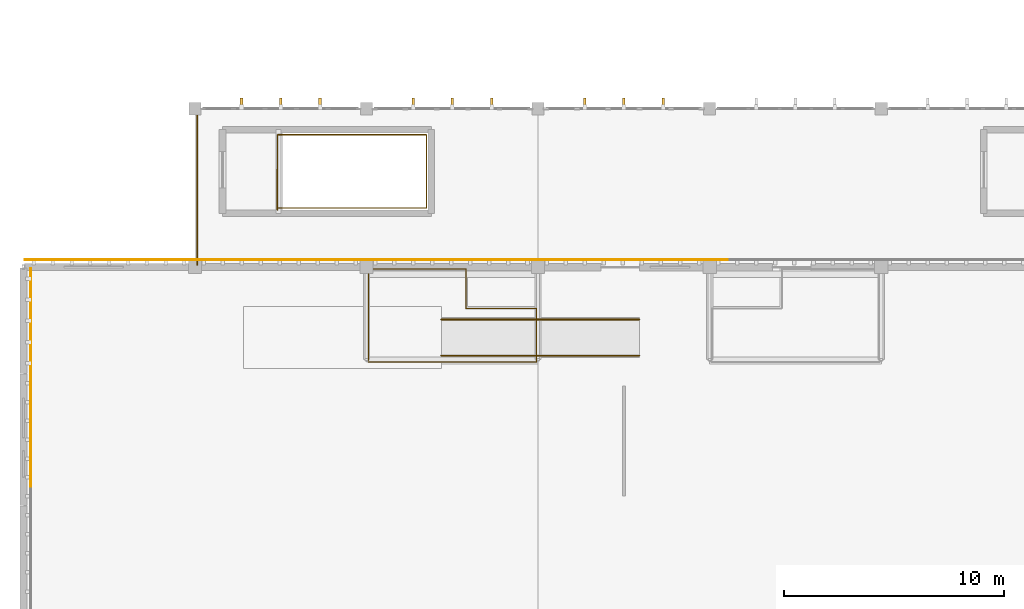
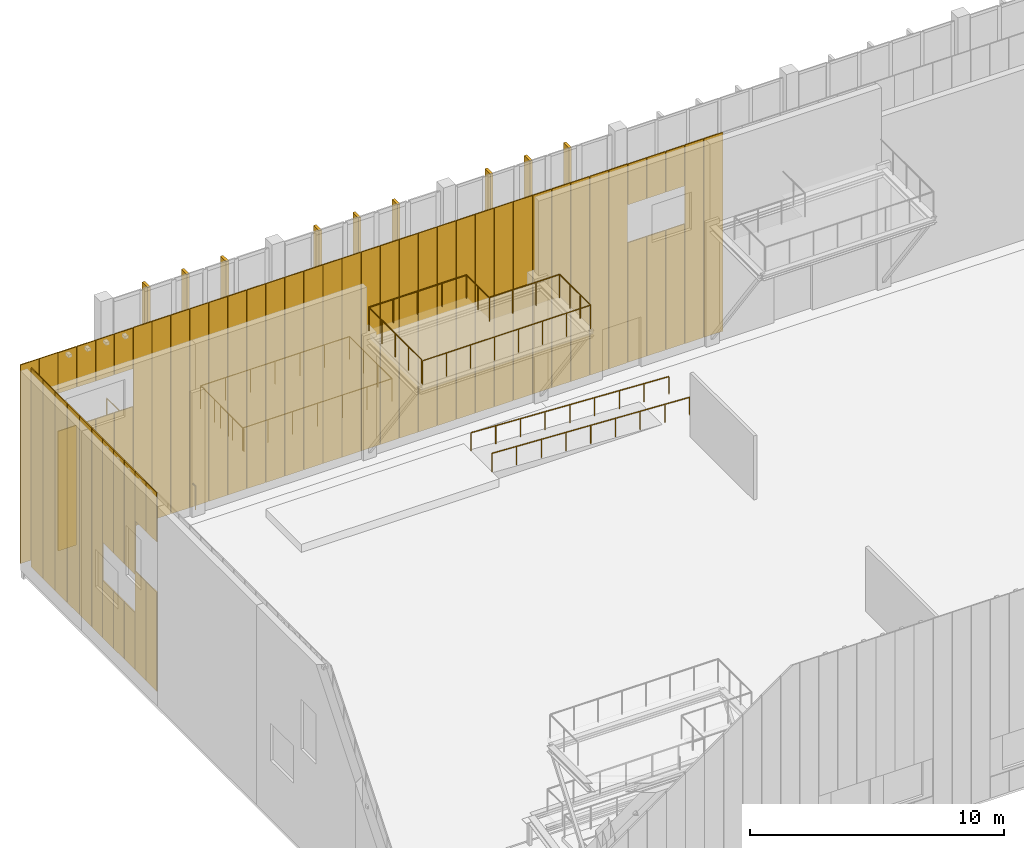
# One storey, part 99 of 105: 69 coverings, 6 railings.
"""IFC4 building model written with IfcOpenShell, lengths in metres."""

from ifc_helpers import new_model, si_unit, direction, frame, origin, origin_2d, place, context, subcontext, project, spatial, rectangle, circle, extrude, material, layer, layer_set, type_object, element, save


model = new_model("IFC4")

# Units and contexts
model_context = context("Model", 3, precision=1e-05, world=origin(), true_north=direction((0.0, 1.0)))
body_context = subcontext(model_context, "Body", "Model", "MODEL_VIEW")
ifc_project = project(units=[si_unit("LENGTHUNIT", "METRE"), si_unit("AREAUNIT", "SQUARE_METRE"), si_unit("VOLUMEUNIT", "CUBIC_METRE"), si_unit("PLANEANGLEUNIT", "RADIAN"), si_unit("MASSUNIT", "GRAM", prefix="KILO")], contexts=[model_context])

# Site, building, storey
site_placement = place(None, origin())
site = spatial("IfcSite", under=ifc_project, at=site_placement, CompositionType="ELEMENT")
building_placement = place(site_placement, origin())
building = spatial("IfcBuilding", under=site, at=building_placement, Name="Tizgana Railside Sports Hall", CompositionType="ELEMENT")
storey_placement = place(building_placement, frame((0.0, 0.0, 6.0)))
storey = spatial("IfcBuildingStorey", under=building, at=storey_placement, Name="L01", CompositionType="ELEMENT", Elevation=6.0)

# Coverings
ifc_material_1 = material(Name="Glulam GL28h", Category="wood")
ifc_layer_1 = layer(ifc_material_1, 0.139892578125, Name="Glulam GL28h")
ifc_layer_set_1 = layer_set([ifc_layer_1], Name="Glulam GL28h")
covering_type_1 = type_object("IfcCoveringType", Name="Mass-Timber Brise-Soleil & Pergola Fin", PredefinedType="CLADDING", material=ifc_layer_set_1)
for number, where, z_axis, x_axis, name in (
    (1, (9.9150390625, 80.679931640625, 0.0400390625), (0.0, 0.0, 1.0), (1.0, 0.0, 0.0), "L01 Timber Brise-Soleil Fin"),
    (2, (11.699951171875, 80.679931640625, 0.0400390625), (0.0, 0.0, 1.0), (1.0, 0.0, 0.0), "L01 Timber Brise-Soleil Fin"),
    (3, (13.485107421875, 80.679931640625, 0.0400390625), (0.0, 0.0, 1.0), (1.0, 0.0, 0.0), "L01 Timber Brise-Soleil Fin"),
    (4, (17.715087890625, 80.679931640625, 0.0400390625), (0.0, 0.0, 1.0), (1.0, 0.0, 0.0), "L01 Timber Brise-Soleil Fin"),
    (5, (19.5, 80.679931640625, 0.0400390625), (0.0, 0.0, 1.0), (1.0, 0.0, 0.0), "L01 Timber Brise-Soleil Fin"),
    (6, (21.284912109375, 80.679931640625, 0.0400390625), (0.0, 0.0, 1.0), (1.0, 0.0, 0.0), "L01 Timber Brise-Soleil Fin"),
    (7, (25.514892578125, 80.679931640625, 0.0400390625), (0.0, 0.0, 1.0), (1.0, 0.0, 0.0), "L01 Timber Brise-Soleil Fin"),
    (8, (27.300048828125, 80.679931640625, 0.0400390625), (0.0, 0.0, 1.0), (1.0, 0.0, 0.0), "L01 Timber Brise-Soleil Fin"),
    (9, (29.0849609375, 80.679931640625, 0.0400390625), (0.0, 0.0, 1.0), (1.0, 0.0, 0.0), "L01 Timber Brise-Soleil Fin"),
):
    element("IfcCovering", number, at=place(storey_placement, frame(where, z_axis=z_axis, x_axis=x_axis)), inside=storey, type_object=covering_type_1, Name=name, PredefinedType="CLADDING", context=body_context, shape_type="SweptSolid", body=[
        extrude(rectangle(XDim=0.1201171875, YDim=0.43994140625, at=origin_2d()), origin(), (0.0, 0.0, 1.0), 5.6201171875),
    ])
ifc_material_2 = material(Name="Anodised perforated aluminium screen", Category="aluminium")
ifc_layer_2 = layer(ifc_material_2, 0.044921875, Name="Anodised perforated aluminium screen")
ifc_layer_set_2 = layer_set([ifc_layer_2], Name="Anodised perforated aluminium screen")
covering_type_2 = type_object("IfcCoveringType", Name="Perforated Aluminium Hall Screen 900", PredefinedType="CLADDING", material=ifc_layer_set_2)
for number, where, z_axis, x_axis, name in (
    (10, (0.477783203125, 73.534912109375, 0.02001953125), (0.0, 0.0, 1.0), (1.0, 0.0, 0.0), "L01 Perforated Screen SCR-0010"),
    (11, (1.333251953125, 73.534912109375, 0.02001953125), (0.0, 0.0, 1.0), (1.0, 0.0, 0.0), "L01 Perforated Screen SCR-0011"),
):
    element("IfcCovering", number, at=place(storey_placement, frame(where, z_axis=z_axis, x_axis=x_axis)), inside=storey, type_object=covering_type_2, Name=name, PredefinedType="CLADDING", context=body_context, shape_type="SweptSolid", body=[
        extrude(rectangle(XDim=0.837646484375, YDim=0.044921875, at=origin_2d()), origin(), (0.0, 0.0, 1.0), 9.56005859375),
    ])
covering_1_placement = place(storey_placement, frame((2.18896484375, 73.534912109375, 0.02978515625), z_axis=(0.0, 0.0, 1.0), x_axis=(1.0, 0.0, 0.0)))
element("IfcCovering", 12, at=covering_1_placement, inside=storey, type_object=covering_type_2, Name="L01 Perforated Spandrel SCR-0012", PredefinedType="CLADDING", context=body_context, shape_type="SweptSolid", body=[
    extrude(rectangle(XDim=0.837646484375, YDim=0.044921875, at=origin_2d()), origin(), (0.0, 0.0, 1.0), 5.760009765625),
])
covering_2_placement = place(storey_placement, frame((2.18896484375, 73.534912109375, 7.610107421875), z_axis=(0.0, 0.0, 1.0), x_axis=(1.0, 0.0, 0.0)))
element("IfcCovering", 13, at=covering_2_placement, inside=storey, type_object=covering_type_2, Name="L01 Perforated Header SCR-0013", PredefinedType="CLADDING", context=body_context, shape_type="SweptSolid", body=[
    extrude(rectangle(XDim=0.837646484375, YDim=0.044921875, at=origin_2d()), origin(), (0.0, 0.0, 1.0), 1.9599609375),
])
covering_3_placement = place(storey_placement, frame((3.04443359375, 73.534912109375, 0.02978515625), z_axis=(0.0, 0.0, 1.0), x_axis=(1.0, 0.0, 0.0)))
element("IfcCovering", 14, at=covering_3_placement, inside=storey, type_object=covering_type_2, Name="L01 Perforated Spandrel SCR-0014", PredefinedType="CLADDING", context=body_context, shape_type="SweptSolid", body=[
    extrude(rectangle(XDim=0.837646484375, YDim=0.044921875, at=origin_2d()), origin(), (0.0, 0.0, 1.0), 5.760009765625),
])
covering_4_placement = place(storey_placement, frame((3.04443359375, 73.534912109375, 7.610107421875), z_axis=(0.0, 0.0, 1.0), x_axis=(1.0, 0.0, 0.0)))
element("IfcCovering", 15, at=covering_4_placement, inside=storey, type_object=covering_type_2, Name="L01 Perforated Header SCR-0015", PredefinedType="CLADDING", context=body_context, shape_type="SweptSolid", body=[
    extrude(rectangle(XDim=0.837646484375, YDim=0.044921875, at=origin_2d()), origin(), (0.0, 0.0, 1.0), 1.9599609375),
])
covering_5_placement = place(storey_placement, frame((3.89990234375, 73.534912109375, 0.02978515625), z_axis=(0.0, 0.0, 1.0), x_axis=(1.0, 0.0, 0.0)))
element("IfcCovering", 16, at=covering_5_placement, inside=storey, type_object=covering_type_2, Name="L01 Perforated Spandrel SCR-0016", PredefinedType="CLADDING", context=body_context, shape_type="SweptSolid", body=[
    extrude(rectangle(XDim=0.837646484375, YDim=0.044921875, at=origin_2d()), origin(), (0.0, 0.0, 1.0), 5.760009765625),
])
covering_6_placement = place(storey_placement, frame((3.89990234375, 73.534912109375, 7.610107421875), z_axis=(0.0, 0.0, 1.0), x_axis=(1.0, 0.0, 0.0)))
element("IfcCovering", 17, at=covering_6_placement, inside=storey, type_object=covering_type_2, Name="L01 Perforated Header SCR-0017", PredefinedType="CLADDING", context=body_context, shape_type="SweptSolid", body=[
    extrude(rectangle(XDim=0.837646484375, YDim=0.044921875, at=origin_2d()), origin(), (0.0, 0.0, 1.0), 1.9599609375),
])
covering_7_placement = place(storey_placement, frame((4.755615234375, 73.534912109375, 0.02978515625), z_axis=(0.0, 0.0, 1.0), x_axis=(1.0, 0.0, 0.0)))
element("IfcCovering", 18, at=covering_7_placement, inside=storey, type_object=covering_type_2, Name="L01 Perforated Spandrel SCR-0018", PredefinedType="CLADDING", context=body_context, shape_type="SweptSolid", body=[
    extrude(rectangle(XDim=0.837646484375, YDim=0.044921875, at=origin_2d()), origin(), (0.0, 0.0, 1.0), 5.760009765625),
])
covering_8_placement = place(storey_placement, frame((4.755615234375, 73.534912109375, 7.610107421875), z_axis=(0.0, 0.0, 1.0), x_axis=(1.0, 0.0, 0.0)))
element("IfcCovering", 19, at=covering_8_placement, inside=storey, type_object=covering_type_2, Name="L01 Perforated Header SCR-0019", PredefinedType="CLADDING", context=body_context, shape_type="SweptSolid", body=[
    extrude(rectangle(XDim=0.837646484375, YDim=0.044921875, at=origin_2d()), origin(), (0.0, 0.0, 1.0), 1.9599609375),
])
for number, where, z_axis, x_axis, name in (
    (20, (5.611083984375, 73.534912109375, 0.02001953125), (0.0, 0.0, 1.0), (1.0, 0.0, 0.0), "L01 Perforated Screen SCR-0020"),
    (21, (6.466796875, 73.534912109375, 0.02001953125), (0.0, 0.0, 1.0), (1.0, 0.0, 0.0), "L01 Perforated Screen SCR-0021"),
    (22, (7.322265625, 73.534912109375, 0.02001953125), (0.0, 0.0, 1.0), (1.0, 0.0, 0.0), "L01 Perforated Screen SCR-0022"),
):
    element("IfcCovering", number, at=place(storey_placement, frame(where, z_axis=z_axis, x_axis=x_axis)), inside=storey, type_object=covering_type_2, Name=name, PredefinedType="CLADDING", context=body_context, shape_type="SweptSolid", body=[
        extrude(rectangle(XDim=0.837646484375, YDim=0.044921875, at=origin_2d()), origin(), (0.0, 0.0, 1.0), 9.56005859375),
    ])
for number, where, z_axis, x_axis, name in (
    (23, (8.18798828125, 73.534912109375, 0.02001953125), (0.0, 0.0, 1.0), (1.0, 0.0, 0.0), "L01 Perforated Screen SCR-0032"),
    (24, (9.05419921875, 73.534912109375, 0.02001953125), (0.0, 0.0, 1.0), (1.0, 0.0, 0.0), "L01 Perforated Screen SCR-0033"),
    (25, (9.92041015625, 73.534912109375, 0.02001953125), (0.0, 0.0, 1.0), (1.0, 0.0, 0.0), "L01 Perforated Screen SCR-0034"),
    (26, (10.786376953125, 73.534912109375, 0.02001953125), (0.0, 0.0, 1.0), (1.0, 0.0, 0.0), "L01 Perforated Screen SCR-0035"),
    (27, (11.652587890625, 73.534912109375, 0.02001953125), (0.0, 0.0, 1.0), (1.0, 0.0, 0.0), "L01 Perforated Screen SCR-0036"),
    (28, (12.5185546875, 73.534912109375, 0.02001953125), (0.0, 0.0, 1.0), (1.0, 0.0, 0.0), "L01 Perforated Screen SCR-0037"),
    (29, (13.384765625, 73.534912109375, 0.02001953125), (0.0, 0.0, 1.0), (1.0, 0.0, 0.0), "L01 Perforated Screen SCR-0038"),
    (30, (14.250732421875, 73.534912109375, 0.02001953125), (0.0, 0.0, 1.0), (1.0, 0.0, 0.0), "L01 Perforated Screen SCR-0039"),
    (31, (15.116943359375, 73.534912109375, 0.02001953125), (0.0, 0.0, 1.0), (1.0, 0.0, 0.0), "L01 Perforated Screen SCR-0040"),
    (32, (15.988037109375, 73.534912109375, 0.02001953125), (0.0, 0.0, 1.0), (1.0, 0.0, 0.0), "L01 Perforated Screen SCR-0056"),
    (33, (16.854248046875, 73.534912109375, 0.02001953125), (0.0, 0.0, 1.0), (1.0, 0.0, 0.0), "L01 Perforated Screen SCR-0057"),
    (34, (17.72021484375, 73.534912109375, 0.02001953125), (0.0, 0.0, 1.0), (1.0, 0.0, 0.0), "L01 Perforated Screen SCR-0058"),
    (35, (18.58642578125, 73.534912109375, 0.02001953125), (0.0, 0.0, 1.0), (1.0, 0.0, 0.0), "L01 Perforated Screen SCR-0059"),
    (36, (19.452392578125, 73.534912109375, 0.02001953125), (0.0, 0.0, 1.0), (1.0, 0.0, 0.0), "L01 Perforated Screen SCR-0060"),
    (37, (20.318603515625, 73.534912109375, 0.02001953125), (0.0, 0.0, 1.0), (1.0, 0.0, 0.0), "L01 Perforated Screen SCR-0061"),
    (38, (21.184814453125, 73.534912109375, 0.02001953125), (0.0, 0.0, 1.0), (1.0, 0.0, 0.0), "L01 Perforated Screen SCR-0062"),
    (39, (22.05078125, 73.534912109375, 0.02001953125), (0.0, 0.0, 1.0), (1.0, 0.0, 0.0), "L01 Perforated Screen SCR-0063"),
    (40, (22.9169921875, 73.534912109375, 0.02001953125), (0.0, 0.0, 1.0), (1.0, 0.0, 0.0), "L01 Perforated Screen SCR-0064"),
    (41, (23.7880859375, 73.534912109375, 0.02001953125), (0.0, 0.0, 1.0), (1.0, 0.0, 0.0), "L01 Perforated Screen SCR-0080"),
    (42, (24.654296875, 73.534912109375, 0.02001953125), (0.0, 0.0, 1.0), (1.0, 0.0, 0.0), "L01 Perforated Screen SCR-0081"),
    (43, (25.520263671875, 73.534912109375, 0.02001953125), (0.0, 0.0, 1.0), (1.0, 0.0, 0.0), "L01 Perforated Screen SCR-0082"),
    (44, (26.386474609375, 73.534912109375, 0.02001953125), (0.0, 0.0, 1.0), (1.0, 0.0, 0.0), "L01 Perforated Screen SCR-0083"),
    (45, (27.25244140625, 73.534912109375, 0.02001953125), (0.0, 0.0, 1.0), (1.0, 0.0, 0.0), "L01 Perforated Screen SCR-0084"),
):
    element("IfcCovering", number, at=place(storey_placement, frame(where, z_axis=z_axis, x_axis=x_axis)), inside=storey, type_object=covering_type_2, Name=name, PredefinedType="CLADDING", context=body_context, shape_type="SweptSolid", body=[
        extrude(rectangle(XDim=0.84814453125, YDim=0.044921875, at=origin_2d()), origin(), (0.0, 0.0, 1.0), 9.56005859375),
    ])
covering_9_placement = place(storey_placement, frame((28.11865234375, 73.534912109375, 0.02978515625), z_axis=(0.0, 0.0, 1.0), x_axis=(1.0, 0.0, 0.0)))
element("IfcCovering", 46, at=covering_9_placement, inside=storey, type_object=covering_type_2, Name="L01 Perforated Spandrel SCR-0085", PredefinedType="CLADDING", context=body_context, shape_type="SweptSolid", body=[
    extrude(rectangle(XDim=0.84814453125, YDim=0.044921875, at=origin_2d()), origin(), (0.0, 0.0, 1.0), 5.760009765625),
])
covering_10_placement = place(storey_placement, frame((28.11865234375, 73.534912109375, 7.610107421875), z_axis=(0.0, 0.0, 1.0), x_axis=(1.0, 0.0, 0.0)))
element("IfcCovering", 47, at=covering_10_placement, inside=storey, type_object=covering_type_2, Name="L01 Perforated Header SCR-0086", PredefinedType="CLADDING", context=body_context, shape_type="SweptSolid", body=[
    extrude(rectangle(XDim=0.84814453125, YDim=0.044921875, at=origin_2d()), origin(), (0.0, 0.0, 1.0), 1.9599609375),
])
covering_11_placement = place(storey_placement, frame((28.984619140625, 73.534912109375, 0.02978515625), z_axis=(0.0, 0.0, 1.0), x_axis=(1.0, 0.0, 0.0)))
element("IfcCovering", 48, at=covering_11_placement, inside=storey, type_object=covering_type_2, Name="L01 Perforated Spandrel SCR-0087", PredefinedType="CLADDING", context=body_context, shape_type="SweptSolid", body=[
    extrude(rectangle(XDim=0.84814453125, YDim=0.044921875, at=origin_2d()), origin(), (0.0, 0.0, 1.0), 5.760009765625),
])
covering_12_placement = place(storey_placement, frame((28.984619140625, 73.534912109375, 7.610107421875), z_axis=(0.0, 0.0, 1.0), x_axis=(1.0, 0.0, 0.0)))
element("IfcCovering", 49, at=covering_12_placement, inside=storey, type_object=covering_type_2, Name="L01 Perforated Header SCR-0088", PredefinedType="CLADDING", context=body_context, shape_type="SweptSolid", body=[
    extrude(rectangle(XDim=0.84814453125, YDim=0.044921875, at=origin_2d()), origin(), (0.0, 0.0, 1.0), 1.9599609375),
])
covering_13_placement = place(storey_placement, frame((29.850830078125, 73.534912109375, 0.02978515625), z_axis=(0.0, 0.0, 1.0), x_axis=(1.0, 0.0, 0.0)))
element("IfcCovering", 50, at=covering_13_placement, inside=storey, type_object=covering_type_2, Name="L01 Perforated Spandrel SCR-0089", PredefinedType="CLADDING", context=body_context, shape_type="SweptSolid", body=[
    extrude(rectangle(XDim=0.84814453125, YDim=0.044921875, at=origin_2d()), origin(), (0.0, 0.0, 1.0), 5.760009765625),
])
covering_14_placement = place(storey_placement, frame((29.850830078125, 73.534912109375, 7.610107421875), z_axis=(0.0, 0.0, 1.0), x_axis=(1.0, 0.0, 0.0)))
element("IfcCovering", 51, at=covering_14_placement, inside=storey, type_object=covering_type_2, Name="L01 Perforated Header SCR-0090", PredefinedType="CLADDING", context=body_context, shape_type="SweptSolid", body=[
    extrude(rectangle(XDim=0.84814453125, YDim=0.044921875, at=origin_2d()), origin(), (0.0, 0.0, 1.0), 1.9599609375),
])
for number, where, z_axis, x_axis, name in (
    (52, (30.716796875, 73.534912109375, 0.02001953125), (0.0, 0.0, 1.0), (1.0, 0.0, 0.0), "L01 Perforated Screen SCR-0091"),
    (53, (31.588134765625, 73.534912109375, 0.02001953125), (0.0, 0.0, 1.0), (1.0, 0.0, 0.0), "L01 Perforated Screen SCR-0101"),
):
    element("IfcCovering", number, at=place(storey_placement, frame(where, z_axis=z_axis, x_axis=x_axis)), inside=storey, type_object=covering_type_2, Name=name, PredefinedType="CLADDING", context=body_context, shape_type="SweptSolid", body=[
        extrude(rectangle(XDim=0.84814453125, YDim=0.044921875, at=origin_2d()), origin(), (0.0, 0.0, 1.0), 9.56005859375),
    ])
covering_15_placement = place(storey_placement, frame((0.3349609375, 67.921875, 0.02001953125), z_axis=(0.0, 0.0, 1.0), x_axis=(0.0, -1.0, 0.0)))
element("IfcCovering", 54, at=covering_15_placement, inside=storey, type_object=covering_type_2, Name="L01 Perforated Screen SCR-0185", PredefinedType="CLADDING", context=body_context, shape_type="SweptSolid", body=[
    extrude(rectangle(XDim=0.83837890625, YDim=0.044921875, at=origin_2d()), origin(), (0.0, 0.0, 1.0), 9.56005859375),
])
covering_16_placement = place(storey_placement, frame((0.3349609375, 67.0654296875, 0.02978515625), z_axis=(0.0, 0.0, 1.0), x_axis=(0.0, -1.0, 0.0)))
element("IfcCovering", 55, at=covering_16_placement, inside=storey, type_object=covering_type_2, Name="L01 Perforated Spandrel SCR-0186", PredefinedType="CLADDING", context=body_context, shape_type="SweptSolid", body=[
    extrude(rectangle(XDim=0.83837890625, YDim=0.044921875, at=origin_2d()), origin(), (0.0, 0.0, 1.0), 2.760009765625),
])
covering_17_placement = place(storey_placement, frame((0.3349609375, 67.0654296875, 4.610107421875), z_axis=(0.0, 0.0, 1.0), x_axis=(0.0, -1.0, 0.0)))
element("IfcCovering", 56, at=covering_17_placement, inside=storey, type_object=covering_type_2, Name="L01 Perforated Header SCR-0187", PredefinedType="CLADDING", context=body_context, shape_type="SweptSolid", body=[
    extrude(rectangle(XDim=0.83837890625, YDim=0.044921875, at=origin_2d()), origin(), (0.0, 0.0, 1.0), 4.9599609375),
])
covering_18_placement = place(storey_placement, frame((0.3349609375, 66.208984375, 0.02978515625), z_axis=(0.0, 0.0, 1.0), x_axis=(0.0, -1.0, 0.0)))
element("IfcCovering", 57, at=covering_18_placement, inside=storey, type_object=covering_type_2, Name="L01 Perforated Spandrel SCR-0188", PredefinedType="CLADDING", context=body_context, shape_type="SweptSolid", body=[
    extrude(rectangle(XDim=0.83837890625, YDim=0.044921875, at=origin_2d()), origin(), (0.0, 0.0, 1.0), 2.760009765625),
])
covering_19_placement = place(storey_placement, frame((0.3349609375, 66.208984375, 4.610107421875), z_axis=(0.0, 0.0, 1.0), x_axis=(0.0, -1.0, 0.0)))
element("IfcCovering", 58, at=covering_19_placement, inside=storey, type_object=covering_type_2, Name="L01 Perforated Header SCR-0189", PredefinedType="CLADDING", context=body_context, shape_type="SweptSolid", body=[
    extrude(rectangle(XDim=0.83837890625, YDim=0.044921875, at=origin_2d()), origin(), (0.0, 0.0, 1.0), 4.9599609375),
])
covering_20_placement = place(storey_placement, frame((0.3349609375, 65.3525390625, 0.02978515625), z_axis=(0.0, 0.0, 1.0), x_axis=(0.0, -1.0, 0.0)))
element("IfcCovering", 59, at=covering_20_placement, inside=storey, type_object=covering_type_2, Name="L01 Perforated Spandrel SCR-0190", PredefinedType="CLADDING", context=body_context, shape_type="SweptSolid", body=[
    extrude(rectangle(XDim=0.83837890625, YDim=0.044921875, at=origin_2d()), origin(), (0.0, 0.0, 1.0), 2.760009765625),
])
covering_21_placement = place(storey_placement, frame((0.3349609375, 65.3525390625, 4.610107421875), z_axis=(0.0, 0.0, 1.0), x_axis=(0.0, -1.0, 0.0)))
element("IfcCovering", 60, at=covering_21_placement, inside=storey, type_object=covering_type_2, Name="L01 Perforated Header SCR-0191", PredefinedType="CLADDING", context=body_context, shape_type="SweptSolid", body=[
    extrude(rectangle(XDim=0.83837890625, YDim=0.044921875, at=origin_2d()), origin(), (0.0, 0.0, 1.0), 4.9599609375),
])
covering_22_placement = place(storey_placement, frame((0.3349609375, 64.49609375, 0.02978515625), z_axis=(0.0, 0.0, 1.0), x_axis=(0.0, -1.0, 0.0)))
element("IfcCovering", 61, at=covering_22_placement, inside=storey, type_object=covering_type_2, Name="L01 Perforated Spandrel SCR-0192", PredefinedType="CLADDING", context=body_context, shape_type="SweptSolid", body=[
    extrude(rectangle(XDim=0.83837890625, YDim=0.044921875, at=origin_2d()), origin(), (0.0, 0.0, 1.0), 4.760009765625),
])
covering_23_placement = place(storey_placement, frame((0.3349609375, 64.49609375, 7.2099609375), z_axis=(0.0, 0.0, 1.0), x_axis=(0.0, -1.0, 0.0)))
element("IfcCovering", 62, at=covering_23_placement, inside=storey, type_object=covering_type_2, Name="L01 Perforated Header SCR-0193", PredefinedType="CLADDING", context=body_context, shape_type="SweptSolid", body=[
    extrude(rectangle(XDim=0.83837890625, YDim=0.044921875, at=origin_2d()), origin(), (0.0, 0.0, 1.0), 2.360107421875),
])
covering_24_placement = place(storey_placement, frame((0.3349609375, 63.6396484375, 0.02978515625), z_axis=(0.0, 0.0, 1.0), x_axis=(0.0, -1.0, 0.0)))
element("IfcCovering", 63, at=covering_24_placement, inside=storey, type_object=covering_type_2, Name="L01 Perforated Spandrel SCR-0194", PredefinedType="CLADDING", context=body_context, shape_type="SweptSolid", body=[
    extrude(rectangle(XDim=0.83837890625, YDim=0.044921875, at=origin_2d()), origin(), (0.0, 0.0, 1.0), 4.760009765625),
])
covering_25_placement = place(storey_placement, frame((0.3349609375, 63.6396484375, 7.2099609375), z_axis=(0.0, 0.0, 1.0), x_axis=(0.0, -1.0, 0.0)))
element("IfcCovering", 64, at=covering_25_placement, inside=storey, type_object=covering_type_2, Name="L01 Perforated Header SCR-0195", PredefinedType="CLADDING", context=body_context, shape_type="SweptSolid", body=[
    extrude(rectangle(XDim=0.83837890625, YDim=0.044921875, at=origin_2d()), origin(), (0.0, 0.0, 1.0), 2.360107421875),
])
for number, where, z_axis, x_axis, name in (
    (65, (0.3349609375, 72.67041015625, 0.02001953125), (0.0, 0.0, 1.0), (0.0, -1.0, 0.0), "L01 Perforated Screen SCR-0197"),
    (66, (0.3349609375, 71.71142578125, 0.02001953125), (0.0, 0.0, 1.0), (0.0, -1.0, 0.0), "L01 Perforated Screen SCR-0198"),
    (67, (0.3349609375, 70.75244140625, 0.02001953125), (0.0, 0.0, 1.0), (0.0, -1.0, 0.0), "L01 Perforated Screen SCR-0199"),
    (68, (0.3349609375, 69.79345703125, 0.02001953125), (0.0, 0.0, 1.0), (0.0, -1.0, 0.0), "L01 Perforated Screen SCR-0200"),
    (69, (0.3349609375, 68.83447265625, 0.02001953125), (0.0, 0.0, 1.0), (0.0, -1.0, 0.0), "L01 Perforated Screen SCR-0201"),
):
    element("IfcCovering", number, at=place(storey_placement, frame(where, z_axis=z_axis, x_axis=x_axis)), inside=storey, type_object=covering_type_2, Name=name, PredefinedType="CLADDING", context=body_context, shape_type="SweptSolid", body=[
        extrude(rectangle(XDim=0.94091796875, YDim=0.044921875, at=origin_2d()), origin(), (0.0, 0.0, 1.0), 9.56005859375),
    ])

# Railings
ifc_material_3 = material(Name="Galvanised steel sheet", Category="steel")
railing_type_1 = type_object("IfcRailingType", Name="Safety Balustrade Guard 1100", PredefinedType="BALUSTRADE", material=ifc_material_3)
railing_1_placement = place(storey_placement, frame((11.550048828125, 75.800048828125, 0.0)))
element("IfcRailing", 70, at=railing_1_placement, inside=storey, type_object=railing_type_1, Name="L01 ST-07 top well guard 1", PredefinedType="BALUSTRADE", context=body_context, shape_type="SweptSolid", body=[
    extrude(circle(Radius=0.02392578125, at=origin_2d()), frame((0.0, 0.0, 1.076171875), z_axis=(0.0, 1.0, 0.0), x_axis=(-1.0, 0.0, 0.0)), (0.0, 0.0, 1.0), 1.849853515625),
    extrude(circle(Radius=0.02099609375, at=origin_2d()), origin(), (0.0, 0.0, 1.0), 1.052001953125),
    extrude(circle(Radius=0.02099609375, at=origin_2d()), frame((0.0, 0.9248046875, 0.0)), (0.0, 0.0, 1.0), 1.052001953125),
    extrude(circle(Radius=0.02099609375, at=origin_2d()), frame((0.0, 1.849853515625, 0.0)), (0.0, 0.0, 1.0), 1.052001953125),
])
railing_2_placement = place(storey_placement, frame((11.550048828125, 75.8798828125, 0.0)))
element("IfcRailing", 71, at=railing_2_placement, inside=storey, type_object=railing_type_1, Name="L01 ST-07 Well Guard", PredefinedType="BALUSTRADE", context=body_context, shape_type="SweptSolid", body=[
    extrude(circle(Radius=0.02392578125, at=origin_2d()), frame((0.0, 0.0, 1.09619140625), z_axis=(1.0, 0.0, 0.0), x_axis=(0.0, 1.0, 0.0)), (0.0, 0.0, 1.0), 6.77001953125),
    extrude(circle(Radius=0.02392578125, at=origin_2d()), frame((6.77001953125, 0.0, 1.09619140625), z_axis=(0.0, 1.0, 0.0), x_axis=(-1.0, 0.0, 0.0)), (0.0, 0.0, 1.0), 3.340087890625),
    extrude(circle(Radius=0.02392578125, at=origin_2d()), frame((6.77001953125, 3.340087890625, 1.09619140625), z_axis=(-1.0, 0.0, 0.0), x_axis=(0.0, -1.0, 0.0)), (0.0, 0.0, 1.0), 6.77001953125),
    extrude(circle(Radius=0.02392578125, at=origin_2d()), frame((0.0, 3.340087890625, 1.09619140625), z_axis=(0.0, -1.0, 0.0), x_axis=(1.0, 0.0, 0.0)), (0.0, 0.0, 1.0), 3.280029296875),
    extrude(circle(Radius=0.02099609375, at=origin_2d()), origin(), (0.0, 0.0, 1.0), 1.072021484375),
    extrude(circle(Radius=0.02099609375, at=origin_2d()), frame((1.12841796875, 0.0, 0.0)), (0.0, 0.0, 1.0), 1.072021484375),
    extrude(circle(Radius=0.02099609375, at=origin_2d()), frame((2.256591796875, 0.0, 0.0)), (0.0, 0.0, 1.0), 1.072021484375),
    extrude(circle(Radius=0.02099609375, at=origin_2d()), frame((3.385009765625, 0.0, 0.0)), (0.0, 0.0, 1.0), 1.072021484375),
    extrude(circle(Radius=0.02099609375, at=origin_2d()), frame((4.513427734375, 0.0, 0.0)), (0.0, 0.0, 1.0), 1.072021484375),
    extrude(circle(Radius=0.02099609375, at=origin_2d()), frame((5.6416015625, 0.0, 0.0)), (0.0, 0.0, 1.0), 1.072021484375),
    extrude(circle(Radius=0.02099609375, at=origin_2d()), frame((6.77001953125, 0.0, 0.0)), (0.0, 0.0, 1.0), 1.072021484375),
    extrude(circle(Radius=0.02099609375, at=origin_2d()), frame((6.77001953125, 1.11328125, 0.0)), (0.0, 0.0, 1.0), 1.072021484375),
    extrude(circle(Radius=0.02099609375, at=origin_2d()), frame((6.77001953125, 2.226806640625, 0.0)), (0.0, 0.0, 1.0), 1.072021484375),
    extrude(circle(Radius=0.02099609375, at=origin_2d()), frame((6.77001953125, 3.340087890625, 0.0)), (0.0, 0.0, 1.0), 1.072021484375),
    extrude(circle(Radius=0.02099609375, at=origin_2d()), frame((5.6416015625, 3.340087890625, 0.0)), (0.0, 0.0, 1.0), 1.072021484375),
    extrude(circle(Radius=0.02099609375, at=origin_2d()), frame((4.513427734375, 3.340087890625, 0.0)), (0.0, 0.0, 1.0), 1.072021484375),
    extrude(circle(Radius=0.02099609375, at=origin_2d()), frame((3.385009765625, 3.340087890625, 0.0)), (0.0, 0.0, 1.0), 1.072021484375),
    extrude(circle(Radius=0.02099609375, at=origin_2d()), frame((2.256591796875, 3.340087890625, 0.0)), (0.0, 0.0, 1.0), 1.072021484375),
    extrude(circle(Radius=0.02099609375, at=origin_2d()), frame((1.12841796875, 3.340087890625, 0.0)), (0.0, 0.0, 1.0), 1.072021484375),
    extrude(circle(Radius=0.02099609375, at=origin_2d()), frame((0.0, 3.340087890625, 0.0)), (0.0, 0.0, 1.0), 1.072021484375),
    extrude(circle(Radius=0.02099609375, at=origin_2d()), frame((0.0, 2.246826171875, 0.0)), (0.0, 0.0, 1.0), 1.072021484375),
    extrude(circle(Radius=0.02099609375, at=origin_2d()), frame((0.0, 1.1533203125, 0.0)), (0.0, 0.0, 1.0), 1.072021484375),
    extrude(circle(Radius=0.02099609375, at=origin_2d()), frame((0.0, 0.06005859375, 0.0)), (0.0, 0.0, 1.0), 1.072021484375),
])
ifc_material_4 = material(Name="Brushed stainless steel", Category="steel")
railing_type_2 = type_object("IfcRailingType", Name="Stair & Ramp Wall Handrail 900", PredefinedType="HANDRAIL", material=ifc_material_4)
for number, where, name in (
    (72, (28.0, 69.179931640625, 0.0), "L01 Ramp Handrail RHR-0003"),
    (73, (28.0, 70.820068359375, 0.0), "L01 Ramp Handrail RHR-0004"),
):
    element("IfcRailing", number, at=place(storey_placement, frame(where)), inside=storey, type_object=railing_type_2, Name=name, PredefinedType="HANDRAIL", context=body_context, shape_type="SweptSolid", body=[
        extrude(circle(Radius=0.02392578125, at=origin_2d()), frame((0.0, 0.0, 0.8759765625), z_axis=(-0.998752609117, 0.0, 0.049932211876), x_axis=(0.0, -1.0, 0.0)), (0.0, 0.0, 1.0), 9.01123046875),
        extrude(circle(Radius=0.02099609375, at=origin_2d()), origin(), (0.0, 0.0, 1.0), 0.851806640625),
        extrude(circle(Radius=0.02099609375, at=origin_2d()), frame((-1.125, 0.0, 0.05615234375)), (0.0, 0.0, 1.0), 0.851806640625),
        extrude(circle(Radius=0.02099609375, at=origin_2d()), frame((-2.25, 0.0, 0.112548828125)), (0.0, 0.0, 1.0), 0.851806640625),
        extrude(circle(Radius=0.02099609375, at=origin_2d()), frame((-3.375, 0.0, 0.168701171875)), (0.0, 0.0, 1.0), 0.851806640625),
        extrude(circle(Radius=0.02099609375, at=origin_2d()), frame((-4.5, 0.0, 0.22509765625)), (0.0, 0.0, 1.0), 0.851806640625),
        extrude(circle(Radius=0.02099609375, at=origin_2d()), frame((-5.625, 0.0, 0.28125)), (0.0, 0.0, 1.0), 0.851806640625),
        extrude(circle(Radius=0.02099609375, at=origin_2d()), frame((-6.75, 0.0, 0.33740234375)), (0.0, 0.0, 1.0), 0.851806640625),
        extrude(circle(Radius=0.02099609375, at=origin_2d()), frame((-7.875, 0.0, 0.393798828125)), (0.0, 0.0, 1.0), 0.851806640625),
        extrude(circle(Radius=0.02099609375, at=origin_2d()), frame((-9.0, 0.0, 0.449951171875)), (0.0, 0.0, 1.0), 0.851806640625),
    ])
ifc_material_5 = material(Name="Anodised aluminium", Category="aluminium")
railing_type_3 = type_object("IfcRailingType", Name="Terrace & Track Guard 1150", PredefinedType="BALUSTRADE", material=ifc_material_5)
railing_3_placement = place(storey_placement, frame((15.679931640625, 68.8798828125, 6.0)))
element("IfcRailing", 74, at=railing_3_placement, inside=storey, type_object=railing_type_3, Name="L01 V1 Catwalk NW Guard", PredefinedType="BALUSTRADE", context=body_context, shape_type="SweptSolid", body=[
    extrude(circle(Radius=0.02392578125, at=origin_2d()), frame((0.0, 0.0, 1.1259765625), z_axis=(1.0, 0.0, 0.0), x_axis=(0.0, 1.0, 0.0)), (0.0, 0.0, 1.0), 7.64013671875),
    extrude(circle(Radius=0.02392578125, at=origin_2d()), frame((7.64013671875, 0.0, 1.1259765625), z_axis=(0.0, 1.0, 0.0), x_axis=(-1.0, 0.0, 0.0)), (0.0, 0.0, 1.0), 2.440185546875),
    extrude(circle(Radius=0.02392578125, at=origin_2d()), frame((7.64013671875, 2.440185546875, 1.1259765625), z_axis=(-1.0, 0.0, 0.0), x_axis=(0.0, -1.0, 0.0)), (0.0, 0.0, 1.0), 3.199951171875),
    extrude(circle(Radius=0.02392578125, at=origin_2d()), frame((4.440185546875, 2.440185546875, 1.1259765625), z_axis=(0.0, 1.0, 0.0), x_axis=(-1.0, 0.0, 0.0)), (0.0, 0.0, 1.0), 1.800048828125),
    extrude(circle(Radius=0.02392578125, at=origin_2d()), frame((4.440185546875, 4.240234375, 1.1259765625), z_axis=(-1.0, 0.0, 0.0), x_axis=(0.0, -1.0, 0.0)), (0.0, 0.0, 1.0), 4.440185546875),
    extrude(circle(Radius=0.02392578125, at=origin_2d()), frame((0.0, 4.240234375, 1.1259765625), z_axis=(0.0, -1.0, 0.0), x_axis=(1.0, 0.0, 0.0)), (0.0, 0.0, 1.0), 4.16015625),
    extrude(circle(Radius=0.02099609375, at=origin_2d()), origin(), (0.0, 0.0, 1.0), 1.101806640625),
    extrude(circle(Radius=0.02099609375, at=origin_2d()), frame((1.091552734375, 0.0, 0.0)), (0.0, 0.0, 1.0), 1.101806640625),
    extrude(circle(Radius=0.02099609375, at=origin_2d()), frame((2.182861328125, 0.0, 0.0)), (0.0, 0.0, 1.0), 1.101806640625),
    extrude(circle(Radius=0.02099609375, at=origin_2d()), frame((3.2744140625, 0.0, 0.0)), (0.0, 0.0, 1.0), 1.101806640625),
    extrude(circle(Radius=0.02099609375, at=origin_2d()), frame((4.36572265625, 0.0, 0.0)), (0.0, 0.0, 1.0), 1.101806640625),
    extrude(circle(Radius=0.02099609375, at=origin_2d()), frame((5.457275390625, 0.0, 0.0)), (0.0, 0.0, 1.0), 1.101806640625),
    extrude(circle(Radius=0.02099609375, at=origin_2d()), frame((6.548583984375, 0.0, 0.0)), (0.0, 0.0, 1.0), 1.101806640625),
    extrude(circle(Radius=0.02099609375, at=origin_2d()), frame((7.64013671875, 0.0, 0.0)), (0.0, 0.0, 1.0), 1.101806640625),
    extrude(circle(Radius=0.02099609375, at=origin_2d()), frame((7.64013671875, 0.8134765625, 0.0)), (0.0, 0.0, 1.0), 1.101806640625),
    extrude(circle(Radius=0.02099609375, at=origin_2d()), frame((7.64013671875, 1.626708984375, 0.0)), (0.0, 0.0, 1.0), 1.101806640625),
    extrude(circle(Radius=0.02099609375, at=origin_2d()), frame((7.64013671875, 2.440185546875, 0.0)), (0.0, 0.0, 1.0), 1.101806640625),
    extrude(circle(Radius=0.02099609375, at=origin_2d()), frame((6.573486328125, 2.440185546875, 0.0)), (0.0, 0.0, 1.0), 1.101806640625),
    extrude(circle(Radius=0.02099609375, at=origin_2d()), frame((5.5068359375, 2.440185546875, 0.0)), (0.0, 0.0, 1.0), 1.101806640625),
    extrude(circle(Radius=0.02099609375, at=origin_2d()), frame((4.440185546875, 2.440185546875, 0.0)), (0.0, 0.0, 1.0), 1.101806640625),
    extrude(circle(Radius=0.02099609375, at=origin_2d()), frame((4.440185546875, 3.34033203125, 0.0)), (0.0, 0.0, 1.0), 1.101806640625),
    extrude(circle(Radius=0.02099609375, at=origin_2d()), frame((4.440185546875, 4.240234375, 0.0)), (0.0, 0.0, 1.0), 1.101806640625),
    extrude(circle(Radius=0.02099609375, at=origin_2d()), frame((3.330078125, 4.240234375, 0.0)), (0.0, 0.0, 1.0), 1.101806640625),
    extrude(circle(Radius=0.02099609375, at=origin_2d()), frame((2.22021484375, 4.240234375, 0.0)), (0.0, 0.0, 1.0), 1.101806640625),
    extrude(circle(Radius=0.02099609375, at=origin_2d()), frame((1.110107421875, 4.240234375, 0.0)), (0.0, 0.0, 1.0), 1.101806640625),
    extrude(circle(Radius=0.02099609375, at=origin_2d()), frame((0.0, 4.240234375, 0.0)), (0.0, 0.0, 1.0), 1.101806640625),
    extrude(circle(Radius=0.02099609375, at=origin_2d()), frame((0.0, 3.2001953125, 0.0)), (0.0, 0.0, 1.0), 1.101806640625),
    extrude(circle(Radius=0.02099609375, at=origin_2d()), frame((0.0, 2.16015625, 0.0)), (0.0, 0.0, 1.0), 1.101806640625),
    extrude(circle(Radius=0.02099609375, at=origin_2d()), frame((0.0, 1.1201171875, 0.0)), (0.0, 0.0, 1.0), 1.101806640625),
    extrude(circle(Radius=0.02099609375, at=origin_2d()), frame((0.0, 0.080078125, 0.0)), (0.0, 0.0, 1.0), 1.101806640625),
])
railing_4_placement = place(storey_placement, frame((7.89990234375, 73.300048828125, 0.0)))
element("IfcRailing", 75, at=railing_4_placement, inside=storey, type_object=railing_type_3, Name="L01 Safety Guard GRD-0010", PredefinedType="BALUSTRADE", context=body_context, shape_type="SweptSolid", body=[
    extrude(circle(Radius=0.02392578125, at=origin_2d()), frame((0.0, 0.0, 1.1259765625), z_axis=(0.0, 1.0, 0.0), x_axis=(-1.0, 0.0, 0.0)), (0.0, 0.0, 1.0), 7.0),
    extrude(circle(Radius=0.02099609375, at=origin_2d()), origin(), (0.0, 0.0, 1.0), 1.101806640625),
    extrude(circle(Radius=0.02099609375, at=origin_2d()), frame((0.0, 1.166748046875, 0.0)), (0.0, 0.0, 1.0), 1.101806640625),
    extrude(circle(Radius=0.02099609375, at=origin_2d()), frame((0.0, 2.333251953125, 0.0)), (0.0, 0.0, 1.0), 1.101806640625),
    extrude(circle(Radius=0.02099609375, at=origin_2d()), frame((0.0, 3.5, 0.0)), (0.0, 0.0, 1.0), 1.101806640625),
    extrude(circle(Radius=0.02099609375, at=origin_2d()), frame((0.0, 4.666748046875, 0.0)), (0.0, 0.0, 1.0), 1.101806640625),
    extrude(circle(Radius=0.02099609375, at=origin_2d()), frame((0.0, 5.833251953125, 0.0)), (0.0, 0.0, 1.0), 1.101806640625),
    extrude(circle(Radius=0.02099609375, at=origin_2d()), frame((0.0, 7.0, 0.0)), (0.0, 0.0, 1.0), 1.101806640625),
])

save(model, "model.ifc")
